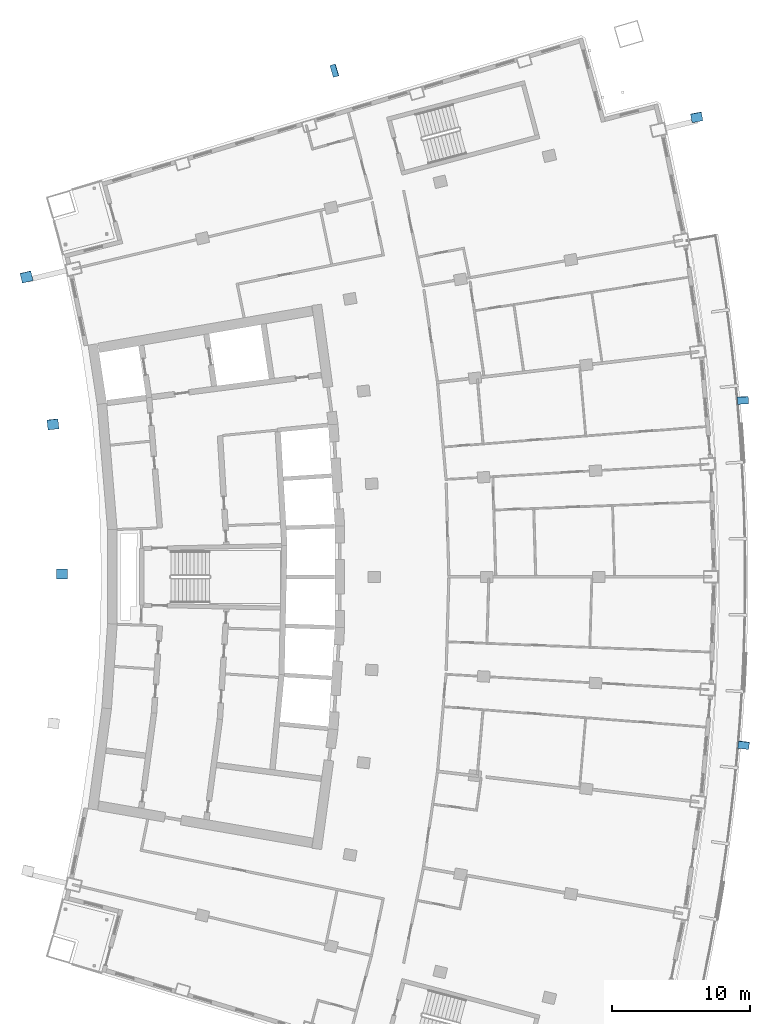
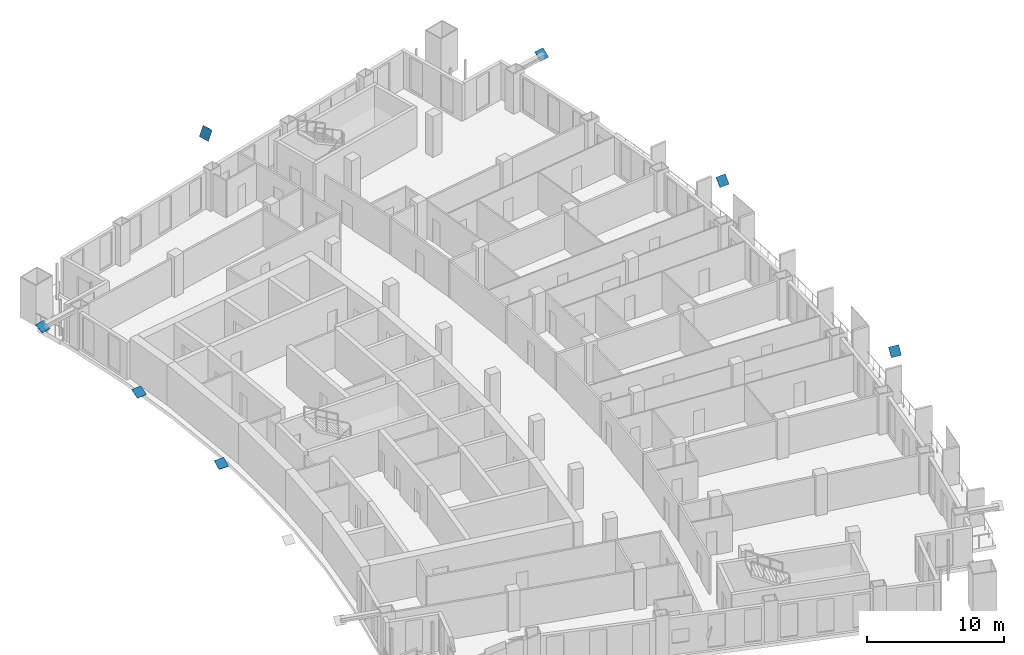
# One storey, part 18 of 21: 7 discrete accessories.
"""IFC4 building model written with IfcOpenShell, lengths in metres."""

from ifc_helpers import new_model, si_unit, direction, frame, origin, origin_2d, place, context, subcontext, project, spatial, rectangle, extrude, material, material_profile, profile_set, type_object, element, save


model = new_model("IFC4")

# Units and contexts
model_context = context("Model", 3, precision=1e-05, world=origin(), true_north=direction((0.0, 1.0)))
body_context = subcontext(model_context, "Body", "Model", "MODEL_VIEW")
ifc_project = project(units=[si_unit("LENGTHUNIT", "METRE"), si_unit("AREAUNIT", "SQUARE_METRE"), si_unit("VOLUMEUNIT", "CUBIC_METRE"), si_unit("PLANEANGLEUNIT", "RADIAN"), si_unit("MASSUNIT", "GRAM", prefix="KILO")], contexts=[model_context])

# Site, building, storey
site_placement = place(None, origin())
site = spatial("IfcSite", under=ifc_project, at=site_placement, CompositionType="ELEMENT")
building_placement = place(site_placement, origin())
building = spatial("IfcBuilding", under=site, at=building_placement, Name="Alderwake Tower", CompositionType="ELEMENT")
storey_placement = place(building_placement, frame((0.0, 0.0, 146.0)))
storey = spatial("IfcBuildingStorey", under=building, at=storey_placement, Name="L35", CompositionType="ELEMENT", Elevation=146.0)

# Discrete accessories
ifc_material_1 = material(Name="Steel ASTM A572 Grade 50", Category="steel")
ifc_material_profile_1 = material_profile(ifc_material_1, rectangle(XDim=0.800048828125, YDim=0.800048828125, at=origin_2d()), Name="BOX 800X800X50 cap")
ifc_profile_set_1 = profile_set([ifc_material_profile_1], Name="Steel ASTM A572 Grade 50")
discrete_accessory_type_1 = type_object("IfcDiscreteAccessoryType", Name="End cap plate BOX 800X800X50", PredefinedType="USERDEFINED", material=ifc_profile_set_1)
discrete_accessory_1_placement = place(storey_placement, frame((62.576171875, 48.8017578125, 3.365234375), z_axis=(-0.089859564923, -0.751552724807, 0.653524108528), x_axis=(0.992927816807, -0.11871963027, 0.0)))
element("IfcDiscreteAccessory", 1, at=discrete_accessory_1_placement, inside=storey, type_object=discrete_accessory_type_1, Name="End cap BRF3.1.4B1 X", ObjectType="END CAP", PredefinedType="USERDEFINED", context=body_context, shape_type="SweptSolid", body=[
    extrude(rectangle(XDim=0.800048828125, YDim=0.800048828125, at=origin_2d()), origin(), (0.0, 0.0, 1.0), 0.02978515625),
])
for number, where, z_axis, x_axis, name in (
    (2, (62.522216796875, 73.811767578125, 3.365234375), (0.040724498871, -0.757475678997, 0.651591981933), (0.998557871823, 0.053685907087, 0.0), "End cap BRF3.1.7B1 X"),
    (3, (59.1689453125, 94.338134765625, 3.299560546875), (0.114002129998, -0.602582687135, 0.789871900704), (0.982570245697, 0.185891668105, 0.0), "End cap BRF3.1.10B1 X"),
    (4, (13.141357421875, 61.224853515625, 3.1533203125), (0.0, -0.4472135955, 0.894427191), (1.0, 0.0, 0.0), "End cap BRR3.1.6B1 X"),
    (5, (12.48193359375, 72.065185546875, 3.1533203125), (0.048728980643, -0.446682322562, 0.893364645123), (0.994102176608, 0.108447510175, 0.0), "End cap BRR3.1.8B1 X"),
    (6, (10.565185546875, 82.755126953125, 3.1533203125), (0.105495990526, -0.438214114494, 0.892658381376), (0.972223637158, 0.234053838575, 0.0), "End cap BRR3.1.10B1 X"),
):
    element("IfcDiscreteAccessory", number, at=place(storey_placement, frame(where, z_axis=z_axis, x_axis=x_axis)), inside=storey, type_object=discrete_accessory_type_1, Name=name, ObjectType="END CAP", PredefinedType="USERDEFINED", context=body_context, shape_type="SweptSolid", body=[
        extrude(rectangle(XDim=0.800048828125, YDim=0.800048828125, at=origin_2d()), origin(), (0.0, 0.0, 1.0), 0.030029296875),
    ])
ifc_material_2 = material(Name="Steel ASTM A572 Grade 50", Category="steel")
ifc_material_profile_2 = material_profile(ifc_material_2, rectangle(XDim=0.89990234375, YDim=0.89990234375, at=origin_2d()), Name="BOX 900X900X55 cap")
ifc_profile_set_2 = profile_set([ifc_material_profile_2], Name="Steel ASTM A572 Grade 50")
discrete_accessory_type_2 = type_object("IfcDiscreteAccessoryType", Name="End cap plate BOX 900X900X55", PredefinedType="USERDEFINED", material=ifc_profile_set_2)
discrete_accessory_2_placement = place(storey_placement, frame((32.909912109375, 97.718017578125, 3.44970703125), z_axis=(-0.857379595639, -0.258831576042, 0.444866771322), x_axis=(0.289004591936, -0.957327710787, 0.0)))
element("IfcDiscreteAccessory", 7, at=discrete_accessory_2_placement, inside=storey, type_object=discrete_accessory_type_2, Name="End cap BRN3.1.0B1 X", ObjectType="END CAP", PredefinedType="USERDEFINED", context=body_context, shape_type="SweptSolid", body=[
    extrude(rectangle(XDim=0.89990234375, YDim=0.89990234375, at=origin_2d()), origin(), (0.0, 0.0, 1.0), 0.0302734375),
])

save(model, "model.ifc")
